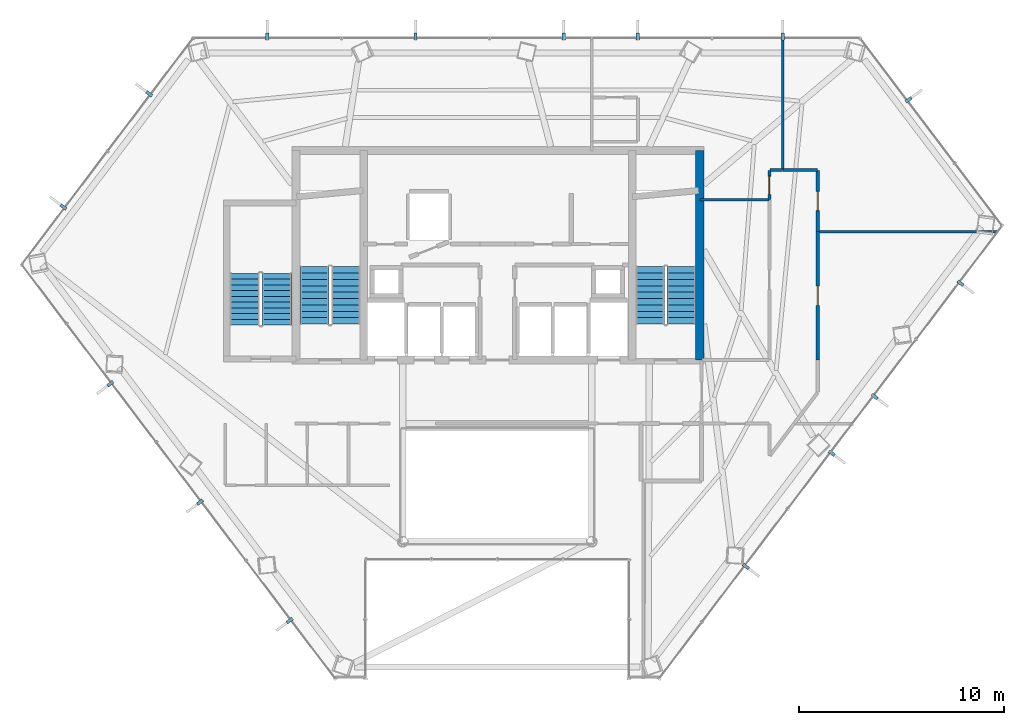
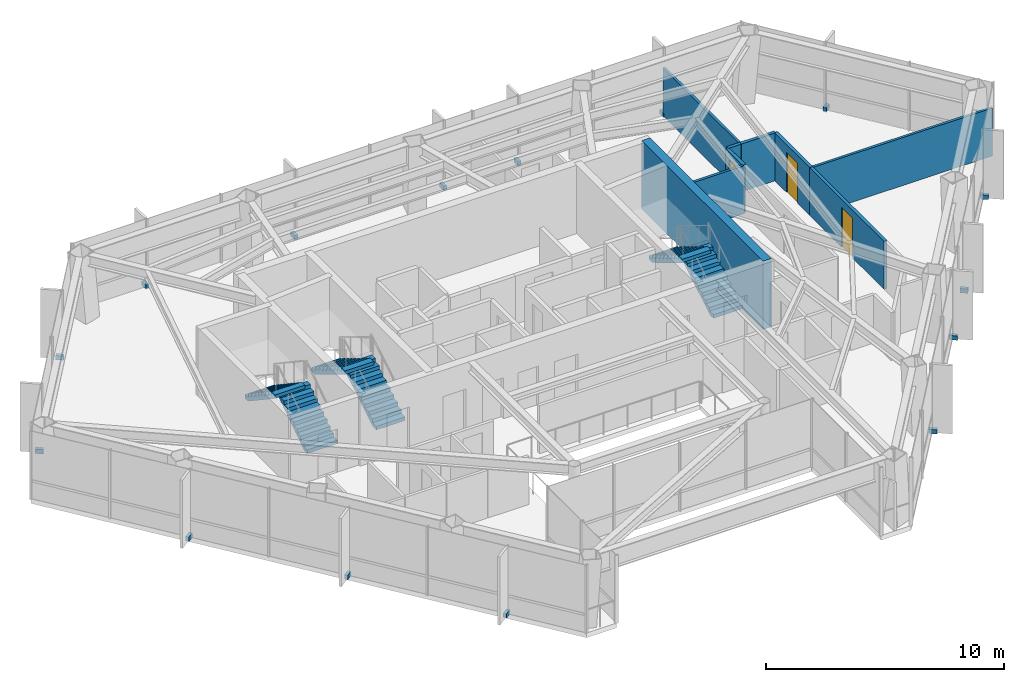
# One storey, part 29 of 30: 15 discrete accessories, 9 walls, 6 stair flights, 3 doors, 3 openings, 3 elements without a shape of their own.
"""IFC4 building model written with IfcOpenShell, lengths in metres."""

from ifc_helpers import new_model, si_unit, direction, frame, frame_2d, origin, origin_2d, place, context, subcontext, project, spatial, polyline, rectangle, outline, extrude, material, layer, layer_set, type_object, element, fill, aggregate, save


model = new_model("IFC4")

# Units and contexts
model_context = context("Model", 3, precision=1e-05, world=origin(), true_north=direction((0.0, 1.0)))
body_context = subcontext(model_context, "Body", "Model", "MODEL_VIEW")
ifc_project = project(units=[si_unit("LENGTHUNIT", "METRE"), si_unit("AREAUNIT", "SQUARE_METRE"), si_unit("VOLUMEUNIT", "CUBIC_METRE"), si_unit("PLANEANGLEUNIT", "RADIAN"), si_unit("MASSUNIT", "GRAM", prefix="KILO")], contexts=[model_context])

# Site, building, storey
site_placement = place(None, origin())
site = spatial("IfcSite", under=ifc_project, at=site_placement, CompositionType="ELEMENT")
building_placement = place(site_placement, origin())
building = spatial("IfcBuilding", under=site, at=building_placement, Name="Zarrinselat Tower", CompositionType="ELEMENT")
storey_placement = place(building_placement, frame((0.0, 0.0, 160.820068359375)))
storey = spatial("IfcBuildingStorey", under=building, at=storey_placement, Name="L39", CompositionType="ELEMENT", Elevation=160.820068359375)

# Wall, opening, door
ifc_material_1 = material(Name="Fire-Rated Gypsum Board Partition", Category="gypsum")
ifc_layer_1 = layer(ifc_material_1, 0.14990234375)
ifc_layer_set_1 = layer_set([ifc_layer_1], Name="Fire-Rated Gypsum Board Partition")
wall_type_1 = type_object("IfcWallType", Name="WAL-PART-EI60", PredefinedType="PARTITIONING", material=ifc_layer_set_1)
wall_1_placement = place(storey_placement, frame((54.0, 33.25, 0.0), z_axis=(0.0, 0.0, 1.0), x_axis=(0.0, 1.0, 0.0)))
wall_1 = element("IfcWall", 1, at=wall_1_placement, inside=storey, type_object=wall_type_1, Name="L39 Partition Wall 24", PredefinedType="PARTITIONING", context=body_context, shape_type="SweptSolid", body=[
    extrude(rectangle(XDim=6.248291015625, YDim=0.14990234375, at=frame_2d((3.1240234375, 0.0))), origin(), (0.0, 0.0, 1.0), 2.45703125),
])
opening_1_placement = place(wall_1_placement, frame((2.654296875, 0.0, 0.0)))
opening_1 = element("IfcOpeningElement", 2, at=opening_1_placement, cuts=wall_1, Name="Opening ID-04", PredefinedType="OPENING", context=body_context, shape_type="SweptSolid", body=[
    extrude(rectangle(XDim=0.93994140625, YDim=2.050048828125, at=frame_2d((0.469970703125, 1.02490234375))), frame((0.0, 0.0849609375, 0.0), z_axis=(0.0, -1.0, 0.0), x_axis=(1.0, 0.0, 0.0)), (0.0, 0.0, 1.0), 0.169921875),
])
ifc_material_2 = material(Name="Fire-Rated Gypsum Board Partition")
door_type_1 = type_object("IfcDoorType", Name="DR-INT-FD30-ENT", OperationType="NOTDEFINED", PredefinedType="DOOR", material=ifc_material_2)
door_1_placement = place(opening_1_placement, origin())
door_1 = element("IfcDoor", 3, at=door_1_placement, inside=storey, type_object=door_type_1, Name="L39 Interior Door P24", OperationType="SINGLE_SWING_LEFT", OverallHeight=2.050048828125, OverallWidth=0.93994140625, PredefinedType="DOOR", context=body_context, shape_type="SweptSolid", body=[
    extrude(rectangle(XDim=0.93994140625, YDim=2.050048828125, at=frame_2d((0.469970703125, 1.02490234375))), frame((0.0, 0.02490234375, 0.0), z_axis=(0.0, -1.0, 0.0), x_axis=(1.0, 0.0, 0.0)), (0.0, 0.0, 1.0), 0.050048828125),
])
fill(opening_1, door_1)

# Wall
wall_2_placement = place(storey_placement, frame((52.304931640625, 42.5, 0.0), z_axis=(0.0, 0.0, 1.0), x_axis=(1.0, 0.0, 0.0)))
element("IfcWall", 4, at=wall_2_placement, inside=storey, type_object=wall_type_1, Name="L39 Partition Wall 27", PredefinedType="PARTITIONING", context=body_context, shape_type="SweptSolid", body=[
    extrude(rectangle(XDim=1.675048828125, YDim=0.14990234375, at=frame_2d((0.83740234375, 0.0))), origin(), (0.0, 0.0, 1.0), 2.45703125),
])

# Wall, opening, door
wall_3_placement = place(storey_placement, frame((54.0, 39.50830078125, 0.0), z_axis=(0.0, 0.0, 1.0), x_axis=(0.0, 1.0, 0.0)))
wall_3 = element("IfcWall", 5, at=wall_3_placement, inside=storey, type_object=wall_type_1, Name="L39 Partition Wall 28", PredefinedType="PARTITIONING", context=body_context, shape_type="SweptSolid", body=[
    extrude(rectangle(XDim=2.9716796875, YDim=0.14990234375, at=frame_2d((1.48583984375, 0.0))), origin(), (0.0, 0.0, 1.0), 2.45703125),
])
opening_2_placement = place(wall_3_placement, frame((1.015869140625, 0.0, 0.0)))
opening_2 = element("IfcOpeningElement", 6, at=opening_2_placement, cuts=wall_3, Name="Opening ID-04", PredefinedType="OPENING", context=body_context, shape_type="SweptSolid", body=[
    extrude(rectangle(XDim=0.93994140625, YDim=2.050048828125, at=frame_2d((0.469970703125, 1.02490234375))), frame((0.0, 0.0849609375, 0.0), z_axis=(0.0, -1.0, 0.0), x_axis=(1.0, 0.0, 0.0)), (0.0, 0.0, 1.0), 0.169921875),
])
door_2_placement = place(opening_2_placement, origin())
door_2 = element("IfcDoor", 7, at=door_2_placement, inside=storey, type_object=door_type_1, Name="L39 Interior Door P28", OperationType="SINGLE_SWING_RIGHT", OverallHeight=2.050048828125, OverallWidth=0.93994140625, PredefinedType="DOOR", context=body_context, shape_type="SweptSolid", body=[
    extrude(rectangle(XDim=0.93994140625, YDim=2.050048828125, at=frame_2d((0.469970703125, 1.02490234375))), frame((0.0, 0.02490234375, 0.0), z_axis=(0.0, -1.0, 0.0), x_axis=(1.0, 0.0, 0.0)), (0.0, 0.0, 1.0), 0.050048828125),
])
fill(opening_2, door_2)

wall_4_placement = place(storey_placement, frame((51.64990234375, 41.058349609375, 0.0), z_axis=(0.0, 0.0, 1.0), x_axis=(0.0, 1.0, 0.0)))
wall_4 = element("IfcWall", 8, at=wall_4_placement, inside=storey, type_object=wall_type_1, Name="L39 Partition Wall 31", PredefinedType="PARTITIONING", context=body_context, shape_type="SweptSolid", body=[
    extrude(rectangle(XDim=1.421630859375, YDim=0.14990234375, at=frame_2d((0.7109375, 0.0))), origin(), (0.0, 0.0, 1.0), 2.45703125),
])
opening_3_placement = place(wall_4_placement, frame((0.25, 0.0, 0.0)))
opening_3 = element("IfcOpeningElement", 9, at=opening_3_placement, cuts=wall_4, Name="Opening ID-03", PredefinedType="OPENING", context=body_context, shape_type="SweptSolid", body=[
    extrude(rectangle(XDim=0.8798828125, YDim=2.050048828125, at=frame_2d((0.43994140625, 1.02490234375))), frame((0.0, 0.0849609375, 0.0), z_axis=(0.0, -1.0, 0.0), x_axis=(1.0, 0.0, 0.0)), (0.0, 0.0, 1.0), 0.169921875),
])
ifc_material_3 = material(Name="Steel S355J2", Category="steel")
door_type_2 = type_object("IfcDoorType", Name="DR-INT-FD60-S", OperationType="NOTDEFINED", PredefinedType="DOOR", material=ifc_material_3)
door_3_placement = place(opening_3_placement, origin())
door_3 = element("IfcDoor", 10, at=door_3_placement, inside=storey, type_object=door_type_2, Name="L39 Interior Door P31", OperationType="SINGLE_SWING_RIGHT", OverallHeight=2.050048828125, OverallWidth=0.8798828125, PredefinedType="DOOR", context=body_context, shape_type="SweptSolid", body=[
    extrude(rectangle(XDim=0.8798828125, YDim=2.050048828125, at=frame_2d((0.43994140625, 1.02490234375))), frame((0.0, 0.02490234375, 0.0), z_axis=(0.0, -1.0, 0.0), x_axis=(1.0, 0.0, 0.0)), (0.0, 0.0, 1.0), 0.050048828125),
])
fill(opening_3, door_3)

# Walls
wall_5_placement = place(storey_placement, frame((51.669921875, 42.5, 0.0), z_axis=(0.0, 0.0, 1.0), x_axis=(1.0, 0.0, 0.0)))
element("IfcWall", 11, at=wall_5_placement, inside=storey, type_object=wall_type_1, Name="L39 Partition Wall 32", PredefinedType="PARTITIONING", context=body_context, shape_type="SweptSolid", body=[
    extrude(rectangle(XDim=0.625, YDim=0.14990234375, at=frame_2d((0.3125, 0.0))), origin(), (0.0, 0.0, 1.0), 2.45703125),
])
ifc_material_4 = material(Name="Fire-Rated Gypsum Board Partition", Category="gypsum")
ifc_layer_2 = layer(ifc_material_4, 0.1201171875)
ifc_layer_set_2 = layer_set([ifc_layer_2], Name="Fire-Rated Gypsum Board Partition")
wall_type_2 = type_object("IfcWallType", Name="WAL-PART-STD", PredefinedType="PARTITIONING", material=ifc_layer_set_2)
wall_6_placement = place(storey_placement, frame((54.02001953125, 39.50341796875, 0.0), z_axis=(0.0, 0.0, 1.0), x_axis=(1.0, 0.0, 0.0)))
element("IfcWall", 12, at=wall_6_placement, inside=storey, type_object=wall_type_2, Name="L39 Partition Wall 46", PredefinedType="PARTITIONING", context=body_context, shape_type="SweptSolid", body=[
    extrude(rectangle(XDim=8.733642578125, YDim=0.1201171875, at=frame_2d((4.36669921875, 0.0))), origin(), (0.0, 0.0, 1.0), 2.45703125),
])
wall_7_placement = place(storey_placement, frame((52.300048828125, 42.52001953125, 0.0), z_axis=(0.0, 0.0, 1.0), x_axis=(0.0, 1.0, 0.0)))
element("IfcWall", 13, at=wall_7_placement, inside=storey, type_object=wall_type_2, Name="L39 Partition Wall 47", PredefinedType="PARTITIONING", context=body_context, shape_type="SweptSolid", body=[
    extrude(rectangle(XDim=6.381591796875, YDim=0.1201171875, at=frame_2d((3.19091796875, 0.0))), origin(), (0.0, 0.0, 1.0), 2.45703125),
])
wall_8_placement = place(storey_placement, frame((48.27490234375, 41.05322265625, 0.0), z_axis=(0.0, 0.0, 1.0), x_axis=(1.0, 0.0, 0.0)))
element("IfcWall", 14, at=wall_8_placement, inside=storey, type_object=wall_type_2, Name="L39 Partition Wall 48", PredefinedType="PARTITIONING", context=body_context, shape_type="SweptSolid", body=[
    extrude(rectangle(XDim=3.35498046875, YDim=0.1201171875, at=frame_2d((1.677490234375, 0.0))), origin(), (0.0, 0.0, 1.0), 2.45703125),
])
ifc_material_5 = material(Name="Concrete C60/75", Category="concrete")
ifc_layer_3 = layer(ifc_material_5, 0.39990234375)
ifc_layer_set_3 = layer_set([ifc_layer_3], Name="Concrete C60/75")
wall_type_3 = type_object("IfcWallType", Name="WAL-SHEAR-400", PredefinedType="SHEAR", material=ifc_layer_set_3)
wall_9_placement = place(storey_placement, frame((48.260009765625, 33.25, 0.0), z_axis=(0.0, 0.0, 1.0), x_axis=(0.0, 1.0, 0.0)))
element("IfcWall", 15, at=wall_9_placement, inside=storey, type_object=wall_type_3, Name="L39 Core Shear Wall E", PredefinedType="SHEAR", context=body_context, shape_type="SweptSolid", body=[
    extrude(rectangle(XDim=10.199951171875, YDim=0.39990234375, at=frame_2d((5.10009765625, 0.0))), origin(), (0.0, 0.0, 1.0), 3.5),
])

# Stair, stair flights
ifc_material_6 = material(Name="Concrete C40/50", Category="concrete")
stair_type_1 = type_object("IfcStairType", Name="STR-CORE-145", PredefinedType="HALF_TURN_STAIR", material=ifc_material_6)
stair_1_placement = place(storey_placement, origin())
stair_1 = element("IfcStair", 16, at=stair_1_placement, inside=storey, type_object=stair_type_1, Name="L39 Podium & Mid-Tower Exit Stair 3", PredefinedType="HALF_TURN_STAIR")
ifc_material_7 = material(Name="Concrete C40/50", Category="concrete")
stair_flight_type_1 = type_object("IfcStairFlightType", Name="STR-FLT-145", PredefinedType="STRAIGHT", material=ifc_material_7)
stair_flight_1_placement = place(storey_placement, frame((27.675048828125, 34.949951171875, 0.0), z_axis=(0.0, 0.0, 1.0), x_axis=(0.0, 1.0, 0.0)))
stair_flight_1 = element("IfcStairFlight", 17, at=stair_flight_1_placement, type_object=stair_flight_type_1, Name="ST-3 flight 1", NumberOfRisers=10, NumberOfTreads=9, PredefinedType="STRAIGHT", RiserHeight=0.187, TreadLength=0.28, context=body_context, shape_type="SweptSolid", body=[
    extrude(outline(polyline([(0.0, 0.0), (0.0, 0.18701171875), (0.280029296875, 0.18701171875), (0.280029296875, 0.3740234375), (0.56005859375, 0.3740234375), (0.56005859375, 0.56103515625), (0.840087890625, 0.56103515625), (0.840087890625, 0.748046875), (1.1201171875, 0.748046875), (1.1201171875, 0.93505859375), (1.39990234375, 0.93505859375), (1.39990234375, 1.1220703125), (1.679931640625, 1.1220703125), (1.679931640625, 1.30908203125), (1.9599609375, 1.30908203125), (1.9599609375, 1.49609375), (2.239990234375, 1.49609375), (2.239990234375, 1.68310546875), (2.52001953125, 1.68310546875), (2.52001953125, 1.8701171875), (2.52001953125, 1.502685546875), (0.27001953125, 0.0), (0.0, 0.0)])), frame((0.0, 0.72509765625, 0.0), z_axis=(0.0, -1.0, 0.0), x_axis=(1.0, 0.0, 0.0)), (0.0, 0.0, 1.0), 1.449951171875),
])
stair_flight_2_placement = place(storey_placement, frame((26.10498046875, 37.469970703125, 1.869873046875), z_axis=(0.0, 0.0, 1.0), x_axis=(0.0, -1.0, 0.0)))
stair_flight_2 = element("IfcStairFlight", 18, at=stair_flight_2_placement, type_object=stair_flight_type_1, Name="ST-3 flight 2", NumberOfRisers=10, NumberOfTreads=9, PredefinedType="STRAIGHT", RiserHeight=0.187, TreadLength=0.28, context=body_context, shape_type="SweptSolid", body=[
    extrude(outline(polyline([(0.0, 0.0), (0.0, 0.18701171875), (0.280029296875, 0.18701171875), (0.280029296875, 0.3740234375), (0.56005859375, 0.3740234375), (0.56005859375, 0.56103515625), (0.840087890625, 0.56103515625), (0.840087890625, 0.748046875), (1.1201171875, 0.748046875), (1.1201171875, 0.93505859375), (1.39990234375, 0.93505859375), (1.39990234375, 1.1220703125), (1.679931640625, 1.1220703125), (1.679931640625, 1.30908203125), (1.9599609375, 1.30908203125), (1.9599609375, 1.49609375), (2.239990234375, 1.49609375), (2.239990234375, 1.68310546875), (2.52001953125, 1.68310546875), (2.52001953125, 1.8701171875), (2.52001953125, 1.502685546875), (0.27001953125, 0.0), (0.0, 0.0)])), frame((0.0, 0.72509765625, 0.0), z_axis=(0.0, -1.0, 0.0), x_axis=(1.0, 0.0, 0.0)), (0.0, 0.0, 1.0), 1.449951171875),
])
aggregate(stair_1, [stair_flight_1, stair_flight_2])

ifc_material_8 = material(Name="Concrete C40/50", Category="concrete")
stair_type_2 = type_object("IfcStairType", Name="STR-CORE-155", PredefinedType="HALF_TURN_STAIR", material=ifc_material_8)
stair_2_placement = place(storey_placement, origin())
stair_2 = element("IfcStair", 19, at=stair_2_placement, inside=storey, type_object=stair_type_2, Name="L39 Core Exit Stair 1", PredefinedType="HALF_TURN_STAIR")
ifc_material_9 = material(Name="Concrete C40/50", Category="concrete")
stair_flight_type_2 = type_object("IfcStairFlightType", Name="STR-FLT-155", PredefinedType="STRAIGHT", material=ifc_material_9)
stair_flight_3_placement = place(storey_placement, frame((31.02001953125, 35.0, 0.0), z_axis=(0.0, 0.0, 1.0), x_axis=(0.0, 1.0, 0.0)))
stair_flight_3 = element("IfcStairFlight", 20, at=stair_flight_3_placement, type_object=stair_flight_type_2, Name="ST-1 flight 1", NumberOfRisers=10, NumberOfTreads=9, PredefinedType="STRAIGHT", RiserHeight=0.187, TreadLength=0.31, context=body_context, shape_type="SweptSolid", body=[
    extrude(outline(polyline([(0.0, 0.0), (0.0, 0.18701171875), (0.31005859375, 0.18701171875), (0.31005859375, 0.3740234375), (0.6201171875, 0.3740234375), (0.6201171875, 0.56103515625), (0.929931640625, 0.56103515625), (0.929931640625, 0.748046875), (1.239990234375, 0.748046875), (1.239990234375, 0.93505859375), (1.550048828125, 0.93505859375), (1.550048828125, 1.1220703125), (1.860107421875, 1.1220703125), (1.860107421875, 1.30908203125), (2.169921875, 1.30908203125), (2.169921875, 1.49609375), (2.47998046875, 1.49609375), (2.47998046875, 1.68310546875), (2.7900390625, 1.68310546875), (2.7900390625, 1.8701171875), (2.7900390625, 1.508056640625), (0.290283203125, 0.0), (0.0, 0.0)])), frame((0.0, 0.699951171875, 0.0), z_axis=(0.0, -1.0, 0.0), x_axis=(1.0, 0.0, 0.0)), (0.0, 0.0, 1.0), 1.39990234375),
])
stair_flight_4_placement = place(storey_placement, frame((29.5, 37.7900390625, 1.869873046875), z_axis=(0.0, 0.0, 1.0), x_axis=(0.0, -1.0, 0.0)))
stair_flight_4 = element("IfcStairFlight", 21, at=stair_flight_4_placement, type_object=stair_flight_type_2, Name="ST-1 flight 2", NumberOfRisers=10, NumberOfTreads=9, PredefinedType="STRAIGHT", RiserHeight=0.187, TreadLength=0.31, context=body_context, shape_type="SweptSolid", body=[
    extrude(outline(polyline([(0.0, 0.0), (0.0, 0.18701171875), (0.31005859375, 0.18701171875), (0.31005859375, 0.3740234375), (0.6201171875, 0.3740234375), (0.6201171875, 0.56103515625), (0.929931640625, 0.56103515625), (0.929931640625, 0.748046875), (1.239990234375, 0.748046875), (1.239990234375, 0.93505859375), (1.550048828125, 0.93505859375), (1.550048828125, 1.1220703125), (1.860107421875, 1.1220703125), (1.860107421875, 1.30908203125), (2.169921875, 1.30908203125), (2.169921875, 1.49609375), (2.47998046875, 1.49609375), (2.47998046875, 1.68310546875), (2.7900390625, 1.68310546875), (2.7900390625, 1.8701171875), (2.7900390625, 1.508056640625), (0.290283203125, 0.0), (0.0, 0.0)])), frame((0.0, 0.699951171875, 0.0), z_axis=(0.0, -1.0, 0.0), x_axis=(1.0, 0.0, 0.0)), (0.0, 0.0, 1.0), 1.39990234375),
])
aggregate(stair_2, [stair_flight_3, stair_flight_4])

stair_3_placement = place(storey_placement, origin())
stair_3 = element("IfcStair", 22, at=stair_3_placement, inside=storey, type_object=stair_type_2, Name="L39 Core Exit Stair 2", PredefinedType="HALF_TURN_STAIR")
stair_flight_5_placement = place(storey_placement, frame((47.360107421875, 35.0, 0.0), z_axis=(0.0, 0.0, 1.0), x_axis=(0.0, 1.0, 0.0)))
stair_flight_5 = element("IfcStairFlight", 23, at=stair_flight_5_placement, type_object=stair_flight_type_2, Name="ST-2 flight 1", NumberOfRisers=10, NumberOfTreads=9, PredefinedType="STRAIGHT", RiserHeight=0.187, TreadLength=0.31, context=body_context, shape_type="SweptSolid", body=[
    extrude(outline(polyline([(0.0, 0.0), (0.0, 0.18701171875), (0.31005859375, 0.18701171875), (0.31005859375, 0.3740234375), (0.6201171875, 0.3740234375), (0.6201171875, 0.56103515625), (0.929931640625, 0.56103515625), (0.929931640625, 0.748046875), (1.239990234375, 0.748046875), (1.239990234375, 0.93505859375), (1.550048828125, 0.93505859375), (1.550048828125, 1.1220703125), (1.860107421875, 1.1220703125), (1.860107421875, 1.30908203125), (2.169921875, 1.30908203125), (2.169921875, 1.49609375), (2.47998046875, 1.49609375), (2.47998046875, 1.68310546875), (2.7900390625, 1.68310546875), (2.7900390625, 1.8701171875), (2.7900390625, 1.508056640625), (0.290283203125, 0.0), (0.0, 0.0)])), frame((0.0, 0.699951171875, 0.0), z_axis=(0.0, -1.0, 0.0), x_axis=(1.0, 0.0, 0.0)), (0.0, 0.0, 1.0), 1.39990234375),
])
stair_flight_6_placement = place(storey_placement, frame((45.840087890625, 37.7900390625, 1.869873046875), z_axis=(0.0, 0.0, 1.0), x_axis=(0.0, -1.0, 0.0)))
stair_flight_6 = element("IfcStairFlight", 24, at=stair_flight_6_placement, type_object=stair_flight_type_2, Name="ST-2 flight 2", NumberOfRisers=10, NumberOfTreads=9, PredefinedType="STRAIGHT", RiserHeight=0.187, TreadLength=0.31, context=body_context, shape_type="SweptSolid", body=[
    extrude(outline(polyline([(0.0, 0.0), (0.0, 0.18701171875), (0.31005859375, 0.18701171875), (0.31005859375, 0.3740234375), (0.6201171875, 0.3740234375), (0.6201171875, 0.56103515625), (0.929931640625, 0.56103515625), (0.929931640625, 0.748046875), (1.239990234375, 0.748046875), (1.239990234375, 0.93505859375), (1.550048828125, 0.93505859375), (1.550048828125, 1.1220703125), (1.860107421875, 1.1220703125), (1.860107421875, 1.30908203125), (2.169921875, 1.30908203125), (2.169921875, 1.49609375), (2.47998046875, 1.49609375), (2.47998046875, 1.68310546875), (2.7900390625, 1.68310546875), (2.7900390625, 1.8701171875), (2.7900390625, 1.508056640625), (0.290283203125, 0.0), (0.0, 0.0)])), frame((0.0, 0.699951171875, 0.0), z_axis=(0.0, -1.0, 0.0), x_axis=(1.0, 0.0, 0.0)), (0.0, 0.0, 1.0), 1.39990234375),
])
aggregate(stair_3, [stair_flight_5, stair_flight_6])

# Discrete accessories
ifc_material_10 = material(Name="Steel S355J2", Category="steel")
discrete_accessory_type = type_object("IfcDiscreteAccessoryType", Name="ACC-FIN-BRACKET", PredefinedType="BRACKET", material=ifc_material_10)
for number, where, z_axis, x_axis, name in (
    (25, (28.2919921875, 20.563232421875, -0.05029296875), (0.0, 0.0, 1.0), (-0.797091917639, -0.603857992276, 0.0), "L39 Fin Fixing Bracket CW-L39-E01-01"),
    (26, (23.92529296875, 26.327392578125, -0.05029296875), (0.0, 0.0, 1.0), (-0.797091917639, -0.603857992276, 0.0), "L39 Fin Fixing Bracket CW-L39-E01-03"),
    (27, (19.55859375, 32.091552734375, -0.05029296875), (0.0, 0.0, 1.0), (-0.797091917639, -0.603857992276, 0.0), "L39 Fin Fixing Bracket CW-L39-E01-05"),
    (28, (17.278564453125, 40.695068359375, -0.05029296875), (0.0, 0.0, 1.0), (-0.797092148154, 0.603857687995, 0.0), "L39 Fin Fixing Bracket CW-L39-E02-01"),
    (29, (21.452392578125, 46.204345703125, -0.05029296875), (0.0, 0.0, 1.0), (-0.797092148154, 0.603857687995, 0.0), "L39 Fin Fixing Bracket CW-L39-E02-03"),
    (30, (27.202880859375, 48.98681640625, -0.05029296875), (0.0, 0.0, 1.0), (0.0, 1.0, 0.0), "L39 Fin Fixing Bracket CW-L39-E03-01"),
    (31, (34.41845703125, 48.98681640625, -0.05029296875), (0.0, 0.0, 1.0), (0.0, 1.0, 0.0), "L39 Fin Fixing Bracket CW-L39-E03-03"),
    (32, (41.634033203125, 48.98681640625, -0.05029296875), (0.0, 0.0, 1.0), (0.0, 1.0, 0.0), "L39 Fin Fixing Bracket CW-L39-E03-05"),
    (33, (45.24169921875, 48.98681640625, -0.05029296875), (0.0, 0.0, 1.0), (0.0, 1.0, 0.0), "L39 Fin Fixing Bracket CW-L39-E03-07"),
    (34, (52.300048828125, 48.98681640625, -0.05029296875), (0.0, 0.0, 1.0), (0.0, 1.0, 0.0), "L39 Fin Fixing Bracket CW-L39-E03-09"),
    (35, (58.4267578125, 45.915283203125, -0.05029296875), (0.0, 0.0, 1.0), (0.797093166766, 0.603856343425, 0.0), "L39 Fin Fixing Bracket CW-L39-E04-01"),
    (36, (60.94921875, 36.985595703125, -0.05029296875), (0.0, 0.0, 1.0), (0.797091515785, -0.603858522722, 0.0), "L39 Fin Fixing Bracket CW-L39-E05-01"),
    (37, (56.770751953125, 31.469970703125, -0.05029296875), (0.0, 0.0, 1.0), (0.797091515785, -0.603858522722, 0.0), "L39 Fin Fixing Bracket CW-L39-E05-03"),
    (38, (54.681396484375, 28.71240234375, -0.05029296875), (0.0, 0.0, 1.0), (0.797091515785, -0.603858522722, 0.0), "L39 Fin Fixing Bracket CW-L39-E05-05"),
    (39, (50.5029296875, 23.19677734375, -0.05029296875), (0.0, 0.0, 1.0), (0.797091515785, -0.603858522722, 0.0), "L39 Fin Fixing Bracket CW-L39-E05-07"),
):
    element("IfcDiscreteAccessory", number, at=place(storey_placement, frame(where, z_axis=z_axis, x_axis=x_axis)), inside=storey, type_object=discrete_accessory_type, Name=name, PredefinedType="BRACKET", context=body_context, shape_type="SweptSolid", body=[
        extrude(rectangle(XDim=0.340087890625, YDim=0.159912109375, at=origin_2d()), origin(), (0.0, 0.0, 1.0), 0.219970703125),
    ])

save(model, "model.ifc")
